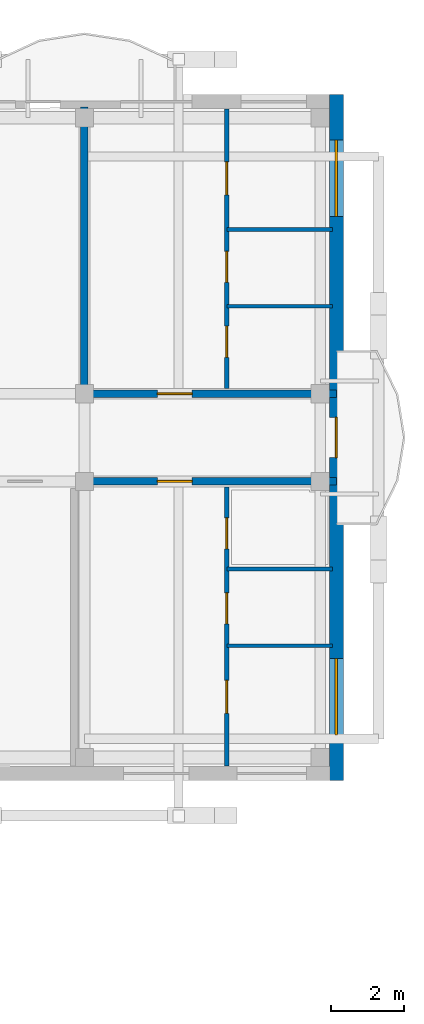
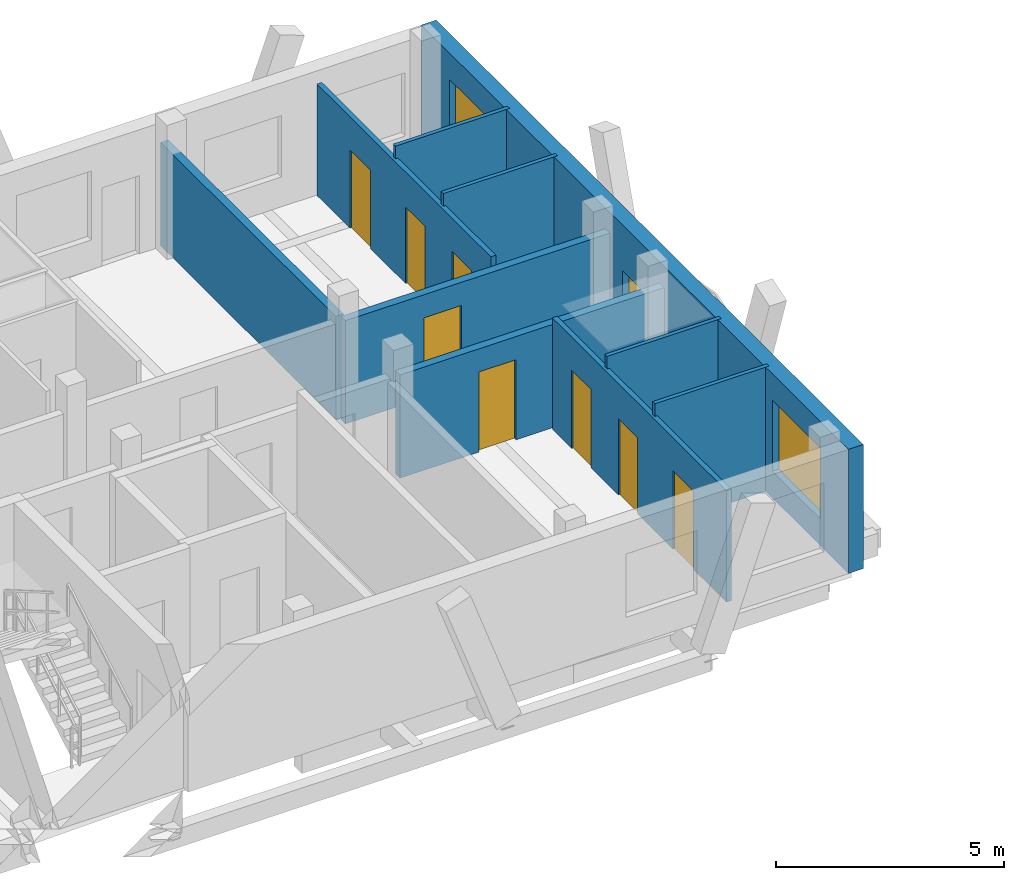
# One storey, part 167 of 189: 10 walls, 9 doors, 2 windows, 11 openings.
"""IFC4 building model written with IfcOpenShell, lengths in metres."""

from ifc_helpers import new_model, si_unit, direction, frame, frame_2d, origin, origin_with_axes, place, context, subcontext, project, spatial, rectangle, extrude, material, layer, layer_set, type_object, element, fill, save


model = new_model("IFC4")

# Units and contexts
model_context = context("Model", 3, precision=1e-05, world=origin(), true_north=direction((0.0, 1.0)))
body_context = subcontext(model_context, "Body", "Model", "MODEL_VIEW")
ifc_project = project(units=[si_unit("LENGTHUNIT", "METRE"), si_unit("AREAUNIT", "SQUARE_METRE"), si_unit("VOLUMEUNIT", "CUBIC_METRE"), si_unit("PLANEANGLEUNIT", "RADIAN"), si_unit("MASSUNIT", "GRAM", prefix="KILO")], contexts=[model_context])

# Site, building, storey
site_placement = place(None, origin())
site = spatial("IfcSite", under=ifc_project, at=site_placement, CompositionType="ELEMENT")
building_placement = place(site_placement, origin())
building = spatial("IfcBuilding", under=site, at=building_placement, Name="Zavelmont Quarter", CompositionType="ELEMENT")
storey_placement = place(building_placement, frame((0.0, 0.0, 4.39990234375)))
storey = spatial("IfcBuildingStorey", under=building, at=storey_placement, Name="L01", CompositionType="ELEMENT", Elevation=4.39990234375)

# Wall, openings, door, windows
ifc_material_1 = material(Name="Natural Belgian limestone", Category="masonry")
ifc_layer_1 = layer(ifc_material_1, 0.3798828125)
ifc_layer_set_1 = layer_set([ifc_layer_1], Name="Natural Belgian limestone")
wall_type_1 = type_object("IfcWallType", Name="EW01", PredefinedType="STANDARD", material=ifc_layer_set_1)
wall_1_placement = place(storey_placement, frame((168.0, 97.409912109375, 0.0), z_axis=(0.0, 0.0, 1.0), x_axis=(0.0, 1.0, 0.0)))
wall_1 = element("IfcWall", 1, at=wall_1_placement, inside=storey, type_object=wall_type_1, Name="L01 exterior limestone wall EW01", PredefinedType="STANDARD", context=body_context, shape_type="SweptSolid", body=[
    extrude(rectangle(XDim=18.780029296875, YDim=0.3798828125, at=frame_2d((9.39013671875, 0.0))), origin(), (0.0, 0.0, 1.0), 3.330078125),
])
opening_1_placement = place(wall_1_placement, frame((8.840087890625, 0.0, 0.0)))
opening_1 = element("IfcOpeningElement", 2, at=opening_1_placement, cuts=wall_1, Name="Opening DR04B", PredefinedType="OPENING", context=body_context, shape_type="SweptSolid", body=[
    extrude(rectangle(XDim=1.10009765625, YDim=2.10009765625, at=frame_2d((0.550048828125, 1.050048828125))), frame((0.0, 0.201904296875, 0.0), z_axis=(0.0, -1.0, 0.0), x_axis=(1.0, 0.0, 0.0)), (0.0, 0.0, 1.0), 0.40380859375),
])
opening_2_placement = place(wall_1_placement, frame((1.239990234375, 0.0, 0.719970703125)))
opening_2 = element("IfcOpeningElement", 3, at=opening_2_placement, cuts=wall_1, Name="Opening WN05", PredefinedType="OPENING", context=body_context, shape_type="SweptSolid", body=[
    extrude(rectangle(XDim=2.10009765625, YDim=1.89990234375, at=frame_2d((1.050048828125, 0.949951171875))), frame((0.0, 0.201904296875, 0.0), z_axis=(0.0, -1.0, 0.0), x_axis=(1.0, 0.0, 0.0)), (0.0, 0.0, 1.0), 0.40380859375),
])
opening_3_placement = place(wall_1_placement, frame((15.43994140625, 0.0, 0.719970703125)))
opening_3 = element("IfcOpeningElement", 4, at=opening_3_placement, cuts=wall_1, Name="Opening WN05", PredefinedType="OPENING", context=body_context, shape_type="SweptSolid", body=[
    extrude(rectangle(XDim=2.10009765625, YDim=1.89990234375, at=frame_2d((1.050048828125, 0.949951171875))), frame((0.0, 0.201904296875, 0.0), z_axis=(0.0, -1.0, 0.0), x_axis=(1.0, 0.0, 0.0)), (0.0, 0.0, 1.0), 0.40380859375),
])
ifc_material_2 = material(Name="Thermally broken aluminium and double safety glass", Category="aluminium")
door_type_1 = type_object("IfcDoorType", Name="DR04B", OperationType="NOTDEFINED", PredefinedType="DOOR", material=ifc_material_2)
door_1_placement = place(opening_1_placement, origin_with_axes())
door_1 = element("IfcDoor", 5, at=door_1_placement, inside=storey, type_object=door_type_1, Name="Block C L01 terrace or vase balcony door", OperationType="SINGLE_SWING_LEFT", OverallHeight=2.10009765625, OverallWidth=1.10009765625, PredefinedType="DOOR", context=body_context, shape_type="SweptSolid", body=[
    extrude(rectangle(XDim=1.10009765625, YDim=2.10009765625, at=frame_2d((0.550048828125, 1.050048828125))), frame((0.0, 0.02490234375, 0.0), z_axis=(0.0, -1.0, 0.0), x_axis=(1.0, 0.0, 0.0)), (0.0, 0.0, 1.0), 0.050048828125),
])
fill(opening_1, door_1)
ifc_material_3 = material(Name="Double low-E insulated glazing in thermally broken aluminium frame", Category="aluminium")
window_type = type_object("IfcWindowType", Name="WN05", PartitioningType="SINGLE_PANEL", PredefinedType="WINDOW", material=ifc_material_3)
window_1_placement = place(opening_2_placement, origin_with_axes())
window_1 = element("IfcWindow", 6, at=window_1_placement, inside=storey, type_object=window_type, Name="L01 window WN05", OverallHeight=1.89990234375, OverallWidth=2.10009765625, PartitioningType="SINGLE_PANEL", PredefinedType="WINDOW", context=body_context, shape_type="SweptSolid", body=[
    extrude(rectangle(XDim=2.10009765625, YDim=1.89990234375, at=frame_2d((1.050048828125, 0.949951171875))), frame((0.0, 0.030029296875, 0.0), z_axis=(0.0, -1.0, 0.0), x_axis=(1.0, 0.0, 0.0)), (0.0, 0.0, 1.0), 0.06005859375),
])
fill(opening_2, window_1)
window_2_placement = place(opening_3_placement, origin_with_axes())
window_2 = element("IfcWindow", 7, at=window_2_placement, inside=storey, type_object=window_type, Name="L01 window WN05", OverallHeight=1.89990234375, OverallWidth=2.10009765625, PartitioningType="SINGLE_PANEL", PredefinedType="WINDOW", context=body_context, shape_type="SweptSolid", body=[
    extrude(rectangle(XDim=2.10009765625, YDim=1.89990234375, at=frame_2d((1.050048828125, 0.949951171875))), frame((0.0, 0.030029296875, 0.0), z_axis=(0.0, -1.0, 0.0), x_axis=(1.0, 0.0, 0.0)), (0.0, 0.0, 1.0), 0.06005859375),
])
fill(opening_3, window_2)

# Wall
ifc_material_4 = material(Name="Calcium-silicate blockwork and acoustic plaster", Category="masonry")
ifc_layer_2 = layer(ifc_material_4, 0.199951171875)
ifc_layer_set_2 = layer_set([ifc_layer_2], Name="Calcium-silicate blockwork and acoustic plaster")
wall_type_2 = type_object("IfcWallType", Name="IW01", PredefinedType="PARTITIONING", material=ifc_layer_set_2)
wall_2_placement = place(storey_placement, frame((161.10009765625, 108.14990234375, 0.0), z_axis=(0.0, 0.0, 1.0), x_axis=(0.0, 1.0, 0.0)))
element("IfcWall", 8, at=wall_2_placement, inside=storey, type_object=wall_type_2, Name="L01 Inter-dwelling compartment wall IW01", PredefinedType="PARTITIONING", context=body_context, shape_type="SweptSolid", body=[
    extrude(rectangle(XDim=7.7001953125, YDim=0.199951171875, at=frame_2d((3.85009765625, 0.0))), origin(), (0.0, 0.0, 1.0), 2.77001953125),
])

# Wall, opening, door
wall_3_placement = place(storey_placement, frame((161.10009765625, 108.0, 0.0), z_axis=(0.0, 0.0, 1.0), x_axis=(1.0, 0.0, 0.0)))
wall_3 = element("IfcWall", 9, at=wall_3_placement, inside=storey, type_object=wall_type_2, Name="L01 Corridor compartment wall IW01", PredefinedType="PARTITIONING", context=body_context, shape_type="SweptSolid", body=[
    extrude(rectangle(XDim=6.89990234375, YDim=0.199951171875, at=frame_2d((3.449951171875, 0.0))), origin(), (0.0, 0.0, 1.0), 2.77001953125),
])
opening_4_placement = place(wall_3_placement, frame((2.0, 0.0, 0.0)))
opening_4 = element("IfcOpeningElement", 10, at=opening_4_placement, cuts=wall_3, Name="Opening DR02", PredefinedType="OPENING", context=body_context, shape_type="SweptSolid", body=[
    extrude(rectangle(XDim=0.949951171875, YDim=2.14990234375, at=frame_2d((0.47509765625, 1.074951171875))), frame((0.0, 0.11181640625, 0.0), z_axis=(0.0, -1.0, 0.0), x_axis=(1.0, 0.0, 0.0)), (0.0, 0.0, 1.0), 0.223876953125),
])
ifc_material_5 = material(Name="Solid-core oak fire leaf in steel frame", Category="steel")
door_type_2 = type_object("IfcDoorType", Name="DR02", OperationType="NOTDEFINED", PredefinedType="DOOR", material=ifc_material_5)
door_2_placement = place(opening_4_placement, origin_with_axes())
door_2 = element("IfcDoor", 11, at=door_2_placement, inside=storey, type_object=door_type_2, Name="L01 door DR02", OperationType="SINGLE_SWING_RIGHT", OverallHeight=2.14990234375, OverallWidth=0.949951171875, PredefinedType="DOOR", context=body_context, shape_type="SweptSolid", body=[
    extrude(rectangle(XDim=0.949951171875, YDim=2.14990234375, at=frame_2d((0.47509765625, 1.074951171875))), frame((0.0, 0.02490234375, 0.0), z_axis=(0.0, -1.0, 0.0), x_axis=(1.0, 0.0, 0.0)), (0.0, 0.0, 1.0), 0.050048828125),
])
fill(opening_4, door_2)

wall_4_placement = place(storey_placement, frame((161.10009765625, 105.60009765625, 0.0), z_axis=(0.0, 0.0, 1.0), x_axis=(1.0, 0.0, 0.0)))
wall_4 = element("IfcWall", 12, at=wall_4_placement, inside=storey, type_object=wall_type_2, Name="L01 Corridor compartment wall IW01", PredefinedType="PARTITIONING", context=body_context, shape_type="SweptSolid", body=[
    extrude(rectangle(XDim=6.89990234375, YDim=0.199951171875, at=frame_2d((3.449951171875, 0.0))), origin(), (0.0, 0.0, 1.0), 2.77001953125),
])
opening_5_placement = place(wall_4_placement, frame((2.0, 0.0, 0.0)))
opening_5 = element("IfcOpeningElement", 13, at=opening_5_placement, cuts=wall_4, Name="Opening DR02", PredefinedType="OPENING", context=body_context, shape_type="SweptSolid", body=[
    extrude(rectangle(XDim=0.949951171875, YDim=2.14990234375, at=frame_2d((0.47509765625, 1.074951171875))), frame((0.0, 0.11181640625, 0.0), z_axis=(0.0, -1.0, 0.0), x_axis=(1.0, 0.0, 0.0)), (0.0, 0.0, 1.0), 0.223876953125),
])
door_3_placement = place(opening_5_placement, frame((0.949951171875, 0.0, 0.0), z_axis=(0.0, 0.0, 1.0), x_axis=(-1.0, 0.0, 0.0)))
door_3 = element("IfcDoor", 14, at=door_3_placement, inside=storey, type_object=door_type_2, Name="L01 door DR02", OperationType="SINGLE_SWING_RIGHT", OverallHeight=2.14990234375, OverallWidth=0.949951171875, PredefinedType="DOOR", context=body_context, shape_type="SweptSolid", body=[
    extrude(rectangle(XDim=0.949951171875, YDim=2.14990234375, at=frame_2d((0.47509765625, 1.074951171875))), frame((0.0, 0.02490234375, 0.0), z_axis=(0.0, -1.0, 0.0), x_axis=(1.0, 0.0, 0.0)), (0.0, 0.0, 1.0), 0.050048828125),
])
fill(opening_5, door_3)

# Wall, openings, doors
ifc_material_6 = material(Name="Double gypsum board on acoustic steel stud", Category="steel")
ifc_layer_3 = layer(ifc_material_6, 0.125)
ifc_layer_set_3 = layer_set([ifc_layer_3], Name="Double gypsum board on acoustic steel stud")
wall_type_3 = type_object("IfcWallType", Name="IW03", PredefinedType="PARTITIONING", material=ifc_layer_set_3)
wall_5_placement = place(storey_placement, frame((165.0, 108.14990234375, 0.0), z_axis=(0.0, 0.0, 1.0), x_axis=(0.0, 1.0, 0.0)))
wall_5 = element("IfcWall", 15, at=wall_5_placement, inside=storey, type_object=wall_type_3, Name="L01 Partition IW03", PredefinedType="PARTITIONING", context=body_context, shape_type="SweptSolid", body=[
    extrude(rectangle(XDim=7.650146484375, YDim=0.125, at=frame_2d((3.8251953125, 0.0))), origin(), (0.0, 0.0, 1.0), 2.989990234375),
])
opening_6_placement = place(wall_5_placement, frame((0.85009765625, 0.0, 0.0)))
opening_6 = element("IfcOpeningElement", 16, at=opening_6_placement, cuts=wall_5, Name="Opening DR16", PredefinedType="OPENING", context=body_context, shape_type="SweptSolid", body=[
    extrude(rectangle(XDim=0.85009765625, YDim=2.10009765625, at=frame_2d((0.425048828125, 1.050048828125))), frame((0.0, 0.074462890625, 0.0), z_axis=(0.0, -1.0, 0.0), x_axis=(1.0, 0.0, 0.0)), (0.0, 0.0, 1.0), 0.14892578125),
])
opening_7_placement = place(wall_5_placement, frame((2.89990234375, 0.0, 0.0)))
opening_7 = element("IfcOpeningElement", 17, at=opening_7_placement, cuts=wall_5, Name="Opening DR06", PredefinedType="OPENING", context=body_context, shape_type="SweptSolid", body=[
    extrude(rectangle(XDim=0.85009765625, YDim=2.050048828125, at=frame_2d((0.425048828125, 1.02490234375))), frame((0.0, 0.074462890625, 0.0), z_axis=(0.0, -1.0, 0.0), x_axis=(1.0, 0.0, 0.0)), (0.0, 0.0, 1.0), 0.14892578125),
])
opening_8_placement = place(wall_5_placement, frame((5.300048828125, 0.0, 0.0)))
opening_8 = element("IfcOpeningElement", 18, at=opening_8_placement, cuts=wall_5, Name="Opening DR05", PredefinedType="OPENING", context=body_context, shape_type="SweptSolid", body=[
    extrude(rectangle(XDim=0.89990234375, YDim=2.10009765625, at=frame_2d((0.449951171875, 1.050048828125))), frame((0.0, 0.074462890625, 0.0), z_axis=(0.0, -1.0, 0.0), x_axis=(1.0, 0.0, 0.0)), (0.0, 0.0, 1.0), 0.14892578125),
])
ifc_material_7 = material(Name="Engineered oak flush interior door")
door_type_3 = type_object("IfcDoorType", Name="DR05", OperationType="NOTDEFINED", PredefinedType="DOOR", material=ifc_material_7)
door_4_placement = place(opening_8_placement, origin_with_axes())
door_4 = element("IfcDoor", 19, at=door_4_placement, inside=storey, type_object=door_type_3, Name="L01 door DR05", OperationType="SINGLE_SWING_RIGHT", OverallHeight=2.10009765625, OverallWidth=0.89990234375, PredefinedType="DOOR", context=body_context, shape_type="SweptSolid", body=[
    extrude(rectangle(XDim=0.89990234375, YDim=2.10009765625, at=frame_2d((0.449951171875, 1.050048828125))), frame((0.0, 0.02490234375, 0.0), z_axis=(0.0, -1.0, 0.0), x_axis=(1.0, 0.0, 0.0)), (0.0, 0.0, 1.0), 0.050048828125),
])
fill(opening_8, door_4)
ifc_material_8 = material(Name="Moisture-resistant painted wet-room door")
door_type_4 = type_object("IfcDoorType", Name="DR06", OperationType="NOTDEFINED", PredefinedType="DOOR", material=ifc_material_8)
door_5_placement = place(opening_7_placement, frame((0.85009765625, 0.0, 0.0), z_axis=(0.0, 0.0, 1.0), x_axis=(-1.0, 0.0, 0.0)))
door_5 = element("IfcDoor", 20, at=door_5_placement, inside=storey, type_object=door_type_4, Name="L01 door DR06", OperationType="SINGLE_SWING_LEFT", OverallHeight=2.050048828125, OverallWidth=0.85009765625, PredefinedType="DOOR", context=body_context, shape_type="SweptSolid", body=[
    extrude(rectangle(XDim=0.85009765625, YDim=2.050048828125, at=frame_2d((0.425048828125, 1.02490234375))), frame((0.0, 0.02490234375, 0.0), z_axis=(0.0, -1.0, 0.0), x_axis=(1.0, 0.0, 0.0)), (0.0, 0.0, 1.0), 0.050048828125),
])
fill(opening_7, door_5)
door_type_5 = type_object("IfcDoorType", Name="DR16", OperationType="NOTDEFINED", PredefinedType="DOOR", material=ifc_material_7)
door_6_placement = place(opening_6_placement, origin_with_axes())
door_6 = element("IfcDoor", 21, at=door_6_placement, inside=storey, type_object=door_type_5, Name="L01 door DR16", OperationType="SINGLE_SWING_RIGHT", OverallHeight=2.10009765625, OverallWidth=0.85009765625, PredefinedType="DOOR", context=body_context, shape_type="SweptSolid", body=[
    extrude(rectangle(XDim=0.85009765625, YDim=2.10009765625, at=frame_2d((0.425048828125, 1.050048828125))), frame((0.0, 0.02490234375, 0.0), z_axis=(0.0, -1.0, 0.0), x_axis=(1.0, 0.0, 0.0)), (0.0, 0.0, 1.0), 0.050048828125),
])
fill(opening_6, door_6)

wall_6_placement = place(storey_placement, frame((165.0, 105.449951171875, 0.0), z_axis=(0.0, 0.0, 1.0), x_axis=(0.0, -1.0, 0.0)))
wall_6 = element("IfcWall", 22, at=wall_6_placement, inside=storey, type_object=wall_type_3, Name="L01 Partition IW03", PredefinedType="PARTITIONING", context=body_context, shape_type="SweptSolid", body=[
    extrude(rectangle(XDim=7.64990234375, YDim=0.125, at=frame_2d((3.824951171875, 0.0))), origin(), (0.0, 0.0, 1.0), 2.989990234375),
])
opening_9_placement = place(wall_6_placement, frame((0.85009765625, 0.0, 0.0)))
opening_9 = element("IfcOpeningElement", 23, at=opening_9_placement, cuts=wall_6, Name="Opening DR16", PredefinedType="OPENING", context=body_context, shape_type="SweptSolid", body=[
    extrude(rectangle(XDim=0.85009765625, YDim=2.10009765625, at=frame_2d((0.425048828125, 1.050048828125))), frame((0.0, 0.074462890625, 0.0), z_axis=(0.0, -1.0, 0.0), x_axis=(1.0, 0.0, 0.0)), (0.0, 0.0, 1.0), 0.14892578125),
])
opening_10_placement = place(wall_6_placement, frame((2.89990234375, 0.0, 0.0)))
opening_10 = element("IfcOpeningElement", 24, at=opening_10_placement, cuts=wall_6, Name="Opening DR06", PredefinedType="OPENING", context=body_context, shape_type="SweptSolid", body=[
    extrude(rectangle(XDim=0.85009765625, YDim=2.050048828125, at=frame_2d((0.425048828125, 1.02490234375))), frame((0.0, 0.074462890625, 0.0), z_axis=(0.0, -1.0, 0.0), x_axis=(1.0, 0.0, 0.0)), (0.0, 0.0, 1.0), 0.14892578125),
])
opening_11_placement = place(wall_6_placement, frame((5.300048828125, 0.0, 0.0)))
opening_11 = element("IfcOpeningElement", 25, at=opening_11_placement, cuts=wall_6, Name="Opening DR05", PredefinedType="OPENING", context=body_context, shape_type="SweptSolid", body=[
    extrude(rectangle(XDim=0.89990234375, YDim=2.10009765625, at=frame_2d((0.449951171875, 1.050048828125))), frame((0.0, 0.074462890625, 0.0), z_axis=(0.0, -1.0, 0.0), x_axis=(1.0, 0.0, 0.0)), (0.0, 0.0, 1.0), 0.14892578125),
])
door_7_placement = place(opening_11_placement, frame((0.89990234375, 0.0, 0.0), z_axis=(0.0, 0.0, 1.0), x_axis=(-1.0, 0.0, 0.0)))
door_7 = element("IfcDoor", 26, at=door_7_placement, inside=storey, type_object=door_type_3, Name="L01 door DR05", OperationType="SINGLE_SWING_RIGHT", OverallHeight=2.10009765625, OverallWidth=0.89990234375, PredefinedType="DOOR", context=body_context, shape_type="SweptSolid", body=[
    extrude(rectangle(XDim=0.89990234375, YDim=2.10009765625, at=frame_2d((0.449951171875, 1.050048828125))), frame((0.0, 0.02490234375, 0.0), z_axis=(0.0, -1.0, 0.0), x_axis=(1.0, 0.0, 0.0)), (0.0, 0.0, 1.0), 0.050048828125),
])
fill(opening_11, door_7)
door_8_placement = place(opening_10_placement, origin_with_axes())
door_8 = element("IfcDoor", 27, at=door_8_placement, inside=storey, type_object=door_type_4, Name="L01 door DR06", OperationType="SINGLE_SWING_LEFT", OverallHeight=2.050048828125, OverallWidth=0.85009765625, PredefinedType="DOOR", context=body_context, shape_type="SweptSolid", body=[
    extrude(rectangle(XDim=0.85009765625, YDim=2.050048828125, at=frame_2d((0.425048828125, 1.02490234375))), frame((0.0, 0.02490234375, 0.0), z_axis=(0.0, -1.0, 0.0), x_axis=(1.0, 0.0, 0.0)), (0.0, 0.0, 1.0), 0.050048828125),
])
fill(opening_10, door_8)
door_9_placement = place(opening_9_placement, frame((0.85009765625, 0.0, 0.0), z_axis=(0.0, 0.0, 1.0), x_axis=(-1.0, 0.0, 0.0)))
door_9 = element("IfcDoor", 28, at=door_9_placement, inside=storey, type_object=door_type_5, Name="L01 door DR16", OperationType="SINGLE_SWING_RIGHT", OverallHeight=2.10009765625, OverallWidth=0.85009765625, PredefinedType="DOOR", context=body_context, shape_type="SweptSolid", body=[
    extrude(rectangle(XDim=0.85009765625, YDim=2.10009765625, at=frame_2d((0.425048828125, 1.050048828125))), frame((0.0, 0.02490234375, 0.0), z_axis=(0.0, -1.0, 0.0), x_axis=(1.0, 0.0, 0.0)), (0.0, 0.0, 1.0), 0.050048828125),
])
fill(opening_9, door_9)

# Walls
ifc_material_9 = material(Name="Moisture-resistant gypsum board on steel stud", Category="steel")
ifc_layer_4 = layer(ifc_material_9, 0.10009765625)
ifc_layer_set_4 = layer_set([ifc_layer_4], Name="Moisture-resistant gypsum board on steel stud")
wall_type_4 = type_object("IfcWallType", Name="IW04", PredefinedType="PARTITIONING", material=ifc_layer_set_4)
for number, where, z_axis, x_axis, name in (
    (29, (165.0, 110.39990234375, 0.0), (0.0, 0.0, 1.0), (1.0, 0.0, 0.0), "L01 Partition IW04"),
    (30, (165.0, 112.5, 0.0), (0.0, 0.0, 1.0), (1.0, 0.0, 0.0), "L01 Partition IW04"),
    (31, (165.0, 103.199951171875, 0.0), (0.0, 0.0, 1.0), (1.0, 0.0, 0.0), "L01 Partition IW04"),
    (32, (165.0, 101.10009765625, 0.0), (0.0, 0.0, 1.0), (1.0, 0.0, 0.0), "L01 Partition IW04"),
):
    element("IfcWall", number, at=place(storey_placement, frame(where, z_axis=z_axis, x_axis=x_axis)), inside=storey, type_object=wall_type_4, Name=name, PredefinedType="PARTITIONING", context=body_context, shape_type="SweptSolid", body=[
        extrude(rectangle(XDim=2.89990234375, YDim=0.10009765625, at=frame_2d((1.449951171875, 0.0))), origin(), (0.0, 0.0, 1.0), 3.330078125),
    ])

save(model, "model.ifc")
